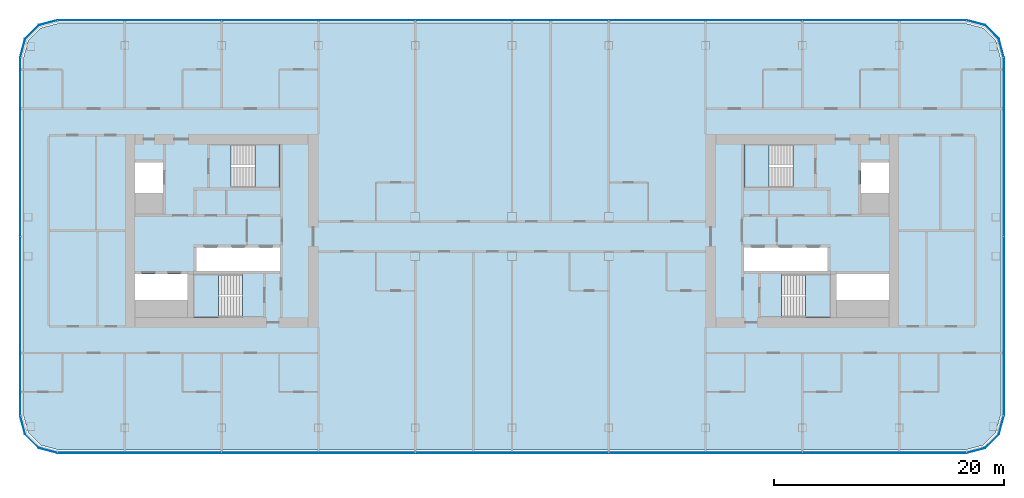
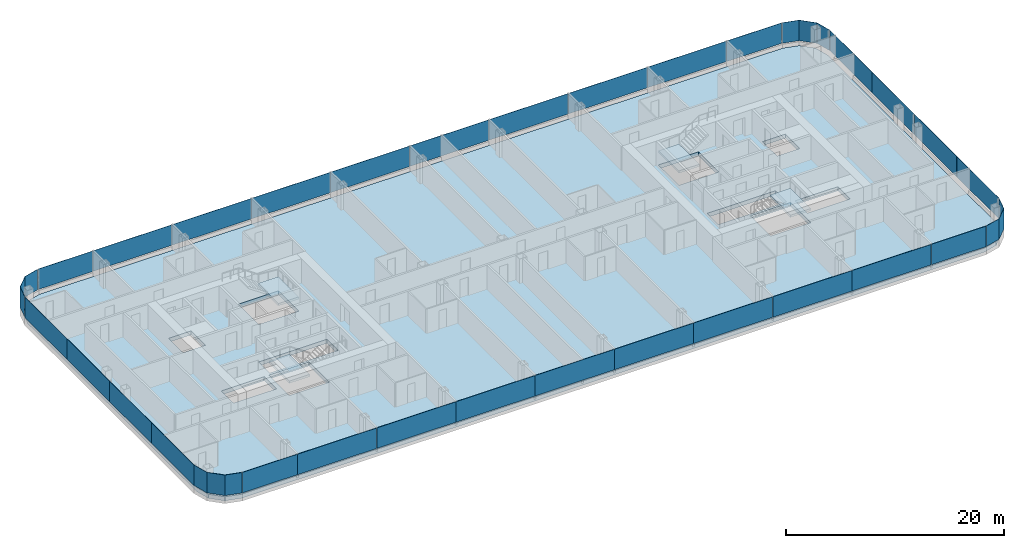
# One storey, part 11 of 26: 32 plates, 5 slabs, 12 elements without a shape of their own.
"""IFC4 building model written with IfcOpenShell, lengths in metres."""

from ifc_helpers import new_model, si_unit, direction, frame, origin, origin_2d, place, context, subcontext, project, spatial, polyline, rectangle, outline, extrude, material, layer, layer_set, type_object, element, aggregate, save


model = new_model("IFC4")

# Units and contexts
model_context = context("Model", 3, precision=1e-05, world=origin(), true_north=direction((0.0, 1.0)))
body_context = subcontext(model_context, "Body", "Model", "MODEL_VIEW")
ifc_project = project(units=[si_unit("LENGTHUNIT", "METRE"), si_unit("AREAUNIT", "SQUARE_METRE"), si_unit("VOLUMEUNIT", "CUBIC_METRE"), si_unit("PLANEANGLEUNIT", "RADIAN"), si_unit("MASSUNIT", "GRAM", prefix="KILO")], contexts=[model_context])

# Site, building, storey
site_placement = place(None, origin())
site = spatial("IfcSite", under=ifc_project, at=site_placement, CompositionType="ELEMENT")
building_placement = place(site_placement, origin())
building = spatial("IfcBuilding", under=site, at=building_placement, Name="Hakoniwa Tower and Hamabe Station Hall", CompositionType="ELEMENT")
storey_placement = place(building_placement, frame((0.0, 0.0, 131.0)))
storey = spatial("IfcBuildingStorey", under=building, at=storey_placement, Name="L36", CompositionType="ELEMENT", Elevation=131.0)

# Stair, slab
ifc_material_1 = material(Name="Concrete C40", Category="concrete")
stair_type = type_object("IfcStairType", Name="ESCAPE STAIR 1800", PredefinedType="HALF_TURN_STAIR", material=ifc_material_1)
stair_1_placement = place(storey_placement, origin())
stair_1 = element("IfcStair", 1, at=stair_1_placement, inside=storey, type_object=stair_type, Name="Escape stair ST-1 L36", PredefinedType="HALF_TURN_STAIR")
ifc_material_2 = material(Name="Concrete C40", Category="concrete")
ifc_layer_1 = layer(ifc_material_2, 0.25)
ifc_layer_set_1 = layer_set([ifc_layer_1], Name="CORE STAIR LANDING 250")
slab_type_1 = type_object("IfcSlabType", Name="CORE STAIR LANDING 250", PredefinedType="LANDING", material=ifc_layer_set_1)
slab_1_placement = place(storey_placement, frame((0.0, 0.0, 1.35009765625)))
slab_1 = element("IfcSlab", 2, at=slab_1_placement, type_object=slab_type_1, Name="ST-1 landing 1", PredefinedType="LANDING", context=body_context, shape_type="SweptSolid", body=[
    extrude(outline(polyline([(-22.320068359375, 3.75), (-20.14990234375, 3.75), (-20.14990234375, 7.5), (-22.320068359375, 7.5), (-22.320068359375, 3.75)])), origin(), (0.0, 0.0, 1.0), 0.25),
])
aggregate(stair_1, [slab_1])

stair_2_placement = place(storey_placement, origin())
stair_2 = element("IfcStair", 3, at=stair_2_placement, inside=storey, type_object=stair_type, Name="Escape stair ST-2 L36", PredefinedType="HALF_TURN_STAIR")
slab_2_placement = place(storey_placement, frame((0.0, 0.0, 1.35009765625)))
slab_2 = element("IfcSlab", 4, at=slab_2_placement, type_object=slab_type_1, Name="ST-2 landing 1", PredefinedType="LANDING", context=body_context, shape_type="SweptSolid", body=[
    extrude(outline(polyline([(-25.47998046875, -7.5), (-27.64990234375, -7.5), (-27.64990234375, -3.75), (-25.47998046875, -3.75), (-25.47998046875, -7.5)])), origin(), (0.0, 0.0, 1.0), 0.25),
])
aggregate(stair_2, [slab_2])

stair_3_placement = place(storey_placement, origin())
stair_3 = element("IfcStair", 5, at=stair_3_placement, inside=storey, type_object=stair_type, Name="Escape stair ST-3 L36", PredefinedType="HALF_TURN_STAIR")
slab_3_placement = place(storey_placement, frame((0.0, 0.0, 1.35009765625)))
slab_3 = element("IfcSlab", 6, at=slab_3_placement, type_object=slab_type_1, Name="ST-3 landing 1", PredefinedType="LANDING", context=body_context, shape_type="SweptSolid", body=[
    extrude(outline(polyline([(22.320068359375, 3.75), (20.14990234375, 3.75), (20.14990234375, 7.5), (22.320068359375, 7.5), (22.320068359375, 3.75)])), origin(), (0.0, 0.0, 1.0), 0.25),
])
aggregate(stair_3, [slab_3])

stair_4_placement = place(storey_placement, origin())
stair_4 = element("IfcStair", 7, at=stair_4_placement, inside=storey, type_object=stair_type, Name="Escape stair ST-4 L36", PredefinedType="HALF_TURN_STAIR")
slab_4_placement = place(storey_placement, frame((0.0, 0.0, 1.35009765625)))
slab_4 = element("IfcSlab", 8, at=slab_4_placement, type_object=slab_type_1, Name="ST-4 landing 1", PredefinedType="LANDING", context=body_context, shape_type="SweptSolid", body=[
    extrude(outline(polyline([(25.47998046875, -7.5), (27.64990234375, -7.5), (27.64990234375, -3.75), (25.47998046875, -3.75), (25.47998046875, -7.5)])), origin(), (0.0, 0.0, 1.0), 0.25),
])
aggregate(stair_4, [slab_4])

# Curtain wall, plates
ifc_material_3 = material(Name="Dark low-e laminated glass", Category="glass")
ifc_layer_2 = layer(ifc_material_3, 0.199951171875)
ifc_layer_set_2 = layer_set([ifc_layer_2], Name="CW-1 UNITISED GUEST")
curtain_wall_type = type_object("IfcCurtainWallType", Name="CW-1 UNITISED GUEST", PredefinedType="NOTDEFINED", material=ifc_layer_set_2)
curtain_wall_1_placement = place(storey_placement, origin())
curtain_wall_1 = element("IfcCurtainWall", 9, at=curtain_wall_1_placement, inside=storey, type_object=curtain_wall_type, Name="CW-1 curtain wall", PredefinedType="NOTDEFINED")
ifc_material_4 = material(Name="Dark low-e laminated glass", Category="glass")
ifc_layer_3 = layer(ifc_material_4, 0.028076171875)
ifc_layer_set_3 = layer_set([ifc_layer_3], Name="CW-1 GLASS UNIT")
plate_type = type_object("IfcPlateType", Name="CW-1 GLASS UNIT", PredefinedType="CURTAIN_PANEL", material=ifc_layer_set_3)
plate_1_placement = place(storey_placement, frame((42.68603515625, -12.154541015625, 0.35009765625), z_axis=(0.0, 0.0, 1.0), x_axis=(0.0, 1.0, 0.0)))
plate_1 = element("IfcPlate", 10, at=plate_1_placement, type_object=plate_type, Name="CW-1 glass unit", PredefinedType="CURTAIN_PANEL", context=body_context, shape_type="SweptSolid", body=[
    extrude(rectangle(XDim=7.749755859375, YDim=0.028076171875, at=origin_2d()), origin(), (0.0, 0.0, 1.0), 2.300048828125),
])
plate_2_placement = place(storey_placement, frame((42.68603515625, -4.384765625, 0.35009765625), z_axis=(0.0, 0.0, 1.0), x_axis=(0.0, 1.0, 0.0)))
plate_2 = element("IfcPlate", 11, at=plate_2_placement, type_object=plate_type, Name="CW-1 glass unit", PredefinedType="CURTAIN_PANEL", context=body_context, shape_type="SweptSolid", body=[
    extrude(rectangle(XDim=7.749755859375, YDim=0.028076171875, at=origin_2d()), origin(), (0.0, 0.0, 1.0), 2.300048828125),
])
plate_3_placement = place(storey_placement, frame((42.68603515625, 3.384765625, 0.35009765625), z_axis=(0.0, 0.0, 1.0), x_axis=(0.0, 1.0, 0.0)))
plate_3 = element("IfcPlate", 12, at=plate_3_placement, type_object=plate_type, Name="CW-1 glass unit", PredefinedType="CURTAIN_PANEL", context=body_context, shape_type="SweptSolid", body=[
    extrude(rectangle(XDim=7.749755859375, YDim=0.028076171875, at=origin_2d()), origin(), (0.0, 0.0, 1.0), 2.300048828125),
])
plate_4_placement = place(storey_placement, frame((42.68603515625, 11.154541015625, 0.35009765625), z_axis=(0.0, 0.0, 1.0), x_axis=(0.0, 1.0, 0.0)))
plate_4 = element("IfcPlate", 13, at=plate_4_placement, type_object=plate_type, Name="CW-1 glass unit", PredefinedType="CURTAIN_PANEL", context=body_context, shape_type="SweptSolid", body=[
    extrude(rectangle(XDim=7.749755859375, YDim=0.028076171875, at=origin_2d()), origin(), (0.0, 0.0, 1.0), 2.300048828125),
])
aggregate(curtain_wall_1, [plate_1, plate_2, plate_3, plate_4])

# Curtain wall, plate
curtain_wall_2_placement = place(storey_placement, origin())
curtain_wall_2 = element("IfcCurtainWall", 14, at=curtain_wall_2_placement, inside=storey, type_object=curtain_wall_type, Name="CW-1 curtain wall", PredefinedType="NOTDEFINED")
plate_5_placement = place(storey_placement, frame((0.0, 0.0, 0.35009765625)))
plate_5 = element("IfcPlate", 15, at=plate_5_placement, type_object=plate_type, Name="CW-1 curved corner unit", PredefinedType="CURTAIN_PANEL", context=body_context, shape_type="SweptSolid", body=[
    extrude(outline(polyline([(42.689697265625, 15.078125), (42.26708984375, 16.6552734375), (41.05517578125, 17.866943359375), (39.47802734375, 18.28955078125), (39.470947265625, 18.2626953125), (41.040771484375, 17.842041015625), (42.241943359375, 16.640869140625), (42.66259765625, 15.07080078125), (42.689697265625, 15.078125)])), origin(), (0.0, 0.0, 1.0), 2.2998046875),
])
aggregate(curtain_wall_2, [plate_5])

# Curtain wall, plates
curtain_wall_3_placement = place(storey_placement, origin())
curtain_wall_3 = element("IfcCurtainWall", 16, at=curtain_wall_3_placement, inside=storey, type_object=curtain_wall_type, Name="CW-1 curtain wall", PredefinedType="NOTDEFINED")
plate_6_placement = place(storey_placement, frame((36.519775390625, 18.285888671875, 0.35009765625), z_axis=(0.0, 0.0, 1.0), x_axis=(-1.0, 0.0, 0.0)))
plate_6 = element("IfcPlate", 17, at=plate_6_placement, type_object=plate_type, Name="CW-1 glass unit", PredefinedType="CURTAIN_PANEL", context=body_context, shape_type="SweptSolid", body=[
    extrude(rectangle(XDim=5.819580078125, YDim=0.028076171875, at=origin_2d()), origin(), (0.0, 0.0, 1.0), 2.300048828125),
])
plate_7_placement = place(storey_placement, frame((29.39990234375, 18.285888671875, 0.35009765625), z_axis=(0.0, 0.0, 1.0), x_axis=(-1.0, 0.0, 0.0)))
plate_7 = element("IfcPlate", 18, at=plate_7_placement, type_object=plate_type, Name="CW-1 glass unit", PredefinedType="CURTAIN_PANEL", context=body_context, shape_type="SweptSolid", body=[
    extrude(rectangle(XDim=8.3798828125, YDim=0.028076171875, at=origin_2d()), origin(), (0.0, 0.0, 1.0), 2.300048828125),
])
plate_8_placement = place(storey_placement, frame((21.0, 18.285888671875, 0.35009765625), z_axis=(0.0, 0.0, 1.0), x_axis=(-1.0, 0.0, 0.0)))
plate_8 = element("IfcPlate", 19, at=plate_8_placement, type_object=plate_type, Name="CW-1 glass unit", PredefinedType="CURTAIN_PANEL", context=body_context, shape_type="SweptSolid", body=[
    extrude(rectangle(XDim=8.3798828125, YDim=0.028076171875, at=origin_2d()), origin(), (0.0, 0.0, 1.0), 2.300048828125),
])
plate_9_placement = place(storey_placement, frame((12.60009765625, 18.285888671875, 0.35009765625), z_axis=(0.0, 0.0, 1.0), x_axis=(-1.0, 0.0, 0.0)))
plate_9 = element("IfcPlate", 20, at=plate_9_placement, type_object=plate_type, Name="CW-1 glass unit", PredefinedType="CURTAIN_PANEL", context=body_context, shape_type="SweptSolid", body=[
    extrude(rectangle(XDim=8.3798828125, YDim=0.028076171875, at=origin_2d()), origin(), (0.0, 0.0, 1.0), 2.300048828125),
])
plate_10_placement = place(storey_placement, frame((4.199951171875, 18.285888671875, 0.35009765625), z_axis=(0.0, 0.0, 1.0), x_axis=(-1.0, 0.0, 0.0)))
plate_10 = element("IfcPlate", 21, at=plate_10_placement, type_object=plate_type, Name="CW-1 glass unit", PredefinedType="CURTAIN_PANEL", context=body_context, shape_type="SweptSolid", body=[
    extrude(rectangle(XDim=8.3798828125, YDim=0.028076171875, at=origin_2d()), origin(), (0.0, 0.0, 1.0), 2.300048828125),
])
plate_11_placement = place(storey_placement, frame((-4.199951171875, 18.285888671875, 0.35009765625), z_axis=(0.0, 0.0, 1.0), x_axis=(-1.0, 0.0, 0.0)))
plate_11 = element("IfcPlate", 22, at=plate_11_placement, type_object=plate_type, Name="CW-1 glass unit", PredefinedType="CURTAIN_PANEL", context=body_context, shape_type="SweptSolid", body=[
    extrude(rectangle(XDim=8.3798828125, YDim=0.028076171875, at=origin_2d()), origin(), (0.0, 0.0, 1.0), 2.300048828125),
])
plate_12_placement = place(storey_placement, frame((-12.60009765625, 18.285888671875, 0.35009765625), z_axis=(0.0, 0.0, 1.0), x_axis=(-1.0, 0.0, 0.0)))
plate_12 = element("IfcPlate", 23, at=plate_12_placement, type_object=plate_type, Name="CW-1 glass unit", PredefinedType="CURTAIN_PANEL", context=body_context, shape_type="SweptSolid", body=[
    extrude(rectangle(XDim=8.3798828125, YDim=0.028076171875, at=origin_2d()), origin(), (0.0, 0.0, 1.0), 2.300048828125),
])
plate_13_placement = place(storey_placement, frame((-21.0, 18.285888671875, 0.35009765625), z_axis=(0.0, 0.0, 1.0), x_axis=(-1.0, 0.0, 0.0)))
plate_13 = element("IfcPlate", 24, at=plate_13_placement, type_object=plate_type, Name="CW-1 glass unit", PredefinedType="CURTAIN_PANEL", context=body_context, shape_type="SweptSolid", body=[
    extrude(rectangle(XDim=8.3798828125, YDim=0.028076171875, at=origin_2d()), origin(), (0.0, 0.0, 1.0), 2.300048828125),
])
plate_14_placement = place(storey_placement, frame((-29.39990234375, 18.285888671875, 0.35009765625), z_axis=(0.0, 0.0, 1.0), x_axis=(-1.0, 0.0, 0.0)))
plate_14 = element("IfcPlate", 25, at=plate_14_placement, type_object=plate_type, Name="CW-1 glass unit", PredefinedType="CURTAIN_PANEL", context=body_context, shape_type="SweptSolid", body=[
    extrude(rectangle(XDim=8.3798828125, YDim=0.028076171875, at=origin_2d()), origin(), (0.0, 0.0, 1.0), 2.300048828125),
])
plate_15_placement = place(storey_placement, frame((-36.519775390625, 18.285888671875, 0.35009765625), z_axis=(0.0, 0.0, 1.0), x_axis=(-1.0, 0.0, 0.0)))
plate_15 = element("IfcPlate", 26, at=plate_15_placement, type_object=plate_type, Name="CW-1 glass unit", PredefinedType="CURTAIN_PANEL", context=body_context, shape_type="SweptSolid", body=[
    extrude(rectangle(XDim=5.819580078125, YDim=0.028076171875, at=origin_2d()), origin(), (0.0, 0.0, 1.0), 2.300048828125),
])
aggregate(curtain_wall_3, [plate_6, plate_7, plate_8, plate_9, plate_10, plate_11, plate_12, plate_13, plate_14, plate_15])

# Curtain wall, plate
curtain_wall_4_placement = place(storey_placement, origin())
curtain_wall_4 = element("IfcCurtainWall", 27, at=curtain_wall_4_placement, inside=storey, type_object=curtain_wall_type, Name="CW-1 curtain wall", PredefinedType="NOTDEFINED")
plate_16_placement = place(storey_placement, frame((0.0, 0.0, 0.35009765625)))
plate_16 = element("IfcPlate", 28, at=plate_16_placement, type_object=plate_type, Name="CW-1 curved corner unit", PredefinedType="CURTAIN_PANEL", context=body_context, shape_type="SweptSolid", body=[
    extrude(outline(polyline([(-39.47802734375, 18.28955078125), (-41.05517578125, 17.866943359375), (-42.26708984375, 16.6552734375), (-42.689697265625, 15.078125), (-42.66259765625, 15.07080078125), (-42.241943359375, 16.640869140625), (-41.040771484375, 17.842041015625), (-39.470947265625, 18.2626953125), (-39.47802734375, 18.28955078125)])), origin(), (0.0, 0.0, 1.0), 2.2998046875),
])
aggregate(curtain_wall_4, [plate_16])

# Curtain wall, plates
curtain_wall_5_placement = place(storey_placement, origin())
curtain_wall_5 = element("IfcCurtainWall", 29, at=curtain_wall_5_placement, inside=storey, type_object=curtain_wall_type, Name="CW-1 curtain wall", PredefinedType="NOTDEFINED")
plate_17_placement = place(storey_placement, frame((-42.68603515625, 11.154541015625, 0.35009765625), z_axis=(0.0, 0.0, 1.0), x_axis=(0.0, -1.0, 0.0)))
plate_17 = element("IfcPlate", 30, at=plate_17_placement, type_object=plate_type, Name="CW-1 glass unit", PredefinedType="CURTAIN_PANEL", context=body_context, shape_type="SweptSolid", body=[
    extrude(rectangle(XDim=7.749755859375, YDim=0.028076171875, at=origin_2d()), origin(), (0.0, 0.0, 1.0), 2.300048828125),
])
plate_18_placement = place(storey_placement, frame((-42.68603515625, 3.384765625, 0.35009765625), z_axis=(0.0, 0.0, 1.0), x_axis=(0.0, -1.0, 0.0)))
plate_18 = element("IfcPlate", 31, at=plate_18_placement, type_object=plate_type, Name="CW-1 glass unit", PredefinedType="CURTAIN_PANEL", context=body_context, shape_type="SweptSolid", body=[
    extrude(rectangle(XDim=7.749755859375, YDim=0.028076171875, at=origin_2d()), origin(), (0.0, 0.0, 1.0), 2.300048828125),
])
plate_19_placement = place(storey_placement, frame((-42.68603515625, -4.384765625, 0.35009765625), z_axis=(0.0, 0.0, 1.0), x_axis=(0.0, -1.0, 0.0)))
plate_19 = element("IfcPlate", 32, at=plate_19_placement, type_object=plate_type, Name="CW-1 glass unit", PredefinedType="CURTAIN_PANEL", context=body_context, shape_type="SweptSolid", body=[
    extrude(rectangle(XDim=7.749755859375, YDim=0.028076171875, at=origin_2d()), origin(), (0.0, 0.0, 1.0), 2.300048828125),
])
plate_20_placement = place(storey_placement, frame((-42.68603515625, -12.154541015625, 0.35009765625), z_axis=(0.0, 0.0, 1.0), x_axis=(0.0, -1.0, 0.0)))
plate_20 = element("IfcPlate", 33, at=plate_20_placement, type_object=plate_type, Name="CW-1 glass unit", PredefinedType="CURTAIN_PANEL", context=body_context, shape_type="SweptSolid", body=[
    extrude(rectangle(XDim=7.749755859375, YDim=0.028076171875, at=origin_2d()), origin(), (0.0, 0.0, 1.0), 2.300048828125),
])
aggregate(curtain_wall_5, [plate_17, plate_18, plate_19, plate_20])

# Curtain wall, plate
curtain_wall_6_placement = place(storey_placement, origin())
curtain_wall_6 = element("IfcCurtainWall", 34, at=curtain_wall_6_placement, inside=storey, type_object=curtain_wall_type, Name="CW-1 curtain wall", PredefinedType="NOTDEFINED")
plate_21_placement = place(storey_placement, frame((0.0, 0.0, 0.35009765625)))
plate_21 = element("IfcPlate", 35, at=plate_21_placement, type_object=plate_type, Name="CW-1 curved corner unit", PredefinedType="CURTAIN_PANEL", context=body_context, shape_type="SweptSolid", body=[
    extrude(outline(polyline([(-42.689697265625, -16.078125), (-42.26708984375, -17.6552734375), (-41.05517578125, -18.866943359375), (-39.47802734375, -19.28955078125), (-39.470947265625, -19.2626953125), (-41.040771484375, -18.842041015625), (-42.241943359375, -17.640869140625), (-42.66259765625, -16.07080078125), (-42.689697265625, -16.078125)])), origin(), (0.0, 0.0, 1.0), 2.2998046875),
])
aggregate(curtain_wall_6, [plate_21])

# Curtain wall, plates
curtain_wall_7_placement = place(storey_placement, origin())
curtain_wall_7 = element("IfcCurtainWall", 36, at=curtain_wall_7_placement, inside=storey, type_object=curtain_wall_type, Name="CW-1 curtain wall", PredefinedType="NOTDEFINED")
plate_22_placement = place(storey_placement, frame((-36.519775390625, -19.285888671875, 0.35009765625), z_axis=(0.0, 0.0, 1.0), x_axis=(1.0, 0.0, 0.0)))
plate_22 = element("IfcPlate", 37, at=plate_22_placement, type_object=plate_type, Name="CW-1 glass unit", PredefinedType="CURTAIN_PANEL", context=body_context, shape_type="SweptSolid", body=[
    extrude(rectangle(XDim=5.819580078125, YDim=0.028076171875, at=origin_2d()), origin(), (0.0, 0.0, 1.0), 2.300048828125),
])
plate_23_placement = place(storey_placement, frame((-29.39990234375, -19.285888671875, 0.35009765625), z_axis=(0.0, 0.0, 1.0), x_axis=(1.0, 0.0, 0.0)))
plate_23 = element("IfcPlate", 38, at=plate_23_placement, type_object=plate_type, Name="CW-1 glass unit", PredefinedType="CURTAIN_PANEL", context=body_context, shape_type="SweptSolid", body=[
    extrude(rectangle(XDim=8.3798828125, YDim=0.028076171875, at=origin_2d()), origin(), (0.0, 0.0, 1.0), 2.300048828125),
])
plate_24_placement = place(storey_placement, frame((-21.0, -19.285888671875, 0.35009765625), z_axis=(0.0, 0.0, 1.0), x_axis=(1.0, 0.0, 0.0)))
plate_24 = element("IfcPlate", 39, at=plate_24_placement, type_object=plate_type, Name="CW-1 glass unit", PredefinedType="CURTAIN_PANEL", context=body_context, shape_type="SweptSolid", body=[
    extrude(rectangle(XDim=8.3798828125, YDim=0.028076171875, at=origin_2d()), origin(), (0.0, 0.0, 1.0), 2.300048828125),
])
plate_25_placement = place(storey_placement, frame((-12.60009765625, -19.285888671875, 0.35009765625), z_axis=(0.0, 0.0, 1.0), x_axis=(1.0, 0.0, 0.0)))
plate_25 = element("IfcPlate", 40, at=plate_25_placement, type_object=plate_type, Name="CW-1 glass unit", PredefinedType="CURTAIN_PANEL", context=body_context, shape_type="SweptSolid", body=[
    extrude(rectangle(XDim=8.3798828125, YDim=0.028076171875, at=origin_2d()), origin(), (0.0, 0.0, 1.0), 2.300048828125),
])
plate_26_placement = place(storey_placement, frame((-4.199951171875, -19.285888671875, 0.35009765625), z_axis=(0.0, 0.0, 1.0), x_axis=(1.0, 0.0, 0.0)))
plate_26 = element("IfcPlate", 41, at=plate_26_placement, type_object=plate_type, Name="CW-1 glass unit", PredefinedType="CURTAIN_PANEL", context=body_context, shape_type="SweptSolid", body=[
    extrude(rectangle(XDim=8.3798828125, YDim=0.028076171875, at=origin_2d()), origin(), (0.0, 0.0, 1.0), 2.300048828125),
])
plate_27_placement = place(storey_placement, frame((4.199951171875, -19.285888671875, 0.35009765625), z_axis=(0.0, 0.0, 1.0), x_axis=(1.0, 0.0, 0.0)))
plate_27 = element("IfcPlate", 42, at=plate_27_placement, type_object=plate_type, Name="CW-1 glass unit", PredefinedType="CURTAIN_PANEL", context=body_context, shape_type="SweptSolid", body=[
    extrude(rectangle(XDim=8.3798828125, YDim=0.028076171875, at=origin_2d()), origin(), (0.0, 0.0, 1.0), 2.300048828125),
])
plate_28_placement = place(storey_placement, frame((12.60009765625, -19.285888671875, 0.35009765625), z_axis=(0.0, 0.0, 1.0), x_axis=(1.0, 0.0, 0.0)))
plate_28 = element("IfcPlate", 43, at=plate_28_placement, type_object=plate_type, Name="CW-1 glass unit", PredefinedType="CURTAIN_PANEL", context=body_context, shape_type="SweptSolid", body=[
    extrude(rectangle(XDim=8.3798828125, YDim=0.028076171875, at=origin_2d()), origin(), (0.0, 0.0, 1.0), 2.300048828125),
])
plate_29_placement = place(storey_placement, frame((21.0, -19.285888671875, 0.35009765625), z_axis=(0.0, 0.0, 1.0), x_axis=(1.0, 0.0, 0.0)))
plate_29 = element("IfcPlate", 44, at=plate_29_placement, type_object=plate_type, Name="CW-1 glass unit", PredefinedType="CURTAIN_PANEL", context=body_context, shape_type="SweptSolid", body=[
    extrude(rectangle(XDim=8.3798828125, YDim=0.028076171875, at=origin_2d()), origin(), (0.0, 0.0, 1.0), 2.300048828125),
])
plate_30_placement = place(storey_placement, frame((29.39990234375, -19.285888671875, 0.35009765625), z_axis=(0.0, 0.0, 1.0), x_axis=(1.0, 0.0, 0.0)))
plate_30 = element("IfcPlate", 45, at=plate_30_placement, type_object=plate_type, Name="CW-1 glass unit", PredefinedType="CURTAIN_PANEL", context=body_context, shape_type="SweptSolid", body=[
    extrude(rectangle(XDim=8.3798828125, YDim=0.028076171875, at=origin_2d()), origin(), (0.0, 0.0, 1.0), 2.300048828125),
])
plate_31_placement = place(storey_placement, frame((36.519775390625, -19.285888671875, 0.35009765625), z_axis=(0.0, 0.0, 1.0), x_axis=(1.0, 0.0, 0.0)))
plate_31 = element("IfcPlate", 46, at=plate_31_placement, type_object=plate_type, Name="CW-1 glass unit", PredefinedType="CURTAIN_PANEL", context=body_context, shape_type="SweptSolid", body=[
    extrude(rectangle(XDim=5.819580078125, YDim=0.028076171875, at=origin_2d()), origin(), (0.0, 0.0, 1.0), 2.300048828125),
])
aggregate(curtain_wall_7, [plate_22, plate_23, plate_24, plate_25, plate_26, plate_27, plate_28, plate_29, plate_30, plate_31])

# Curtain wall, plate
curtain_wall_8_placement = place(storey_placement, origin())
curtain_wall_8 = element("IfcCurtainWall", 47, at=curtain_wall_8_placement, inside=storey, type_object=curtain_wall_type, Name="CW-1 curtain wall", PredefinedType="NOTDEFINED")
plate_32_placement = place(storey_placement, frame((0.0, 0.0, 0.35009765625)))
plate_32 = element("IfcPlate", 48, at=plate_32_placement, type_object=plate_type, Name="CW-1 curved corner unit", PredefinedType="CURTAIN_PANEL", context=body_context, shape_type="SweptSolid", body=[
    extrude(outline(polyline([(39.47802734375, -19.28955078125), (41.05517578125, -18.866943359375), (42.26708984375, -17.6552734375), (42.689697265625, -16.078125), (42.66259765625, -16.07080078125), (42.241943359375, -17.640869140625), (41.040771484375, -18.842041015625), (39.470947265625, -19.2626953125), (39.47802734375, -19.28955078125)])), origin(), (0.0, 0.0, 1.0), 2.2998046875),
])
aggregate(curtain_wall_8, [plate_32])

# Slab
ifc_material_5 = material(Name="Concrete C42", Category="concrete")
ifc_layer_4 = layer(ifc_material_5, 0.449951171875)
ifc_layer_set_4 = layer_set([ifc_layer_4], Name="PT FLAT PLATE 450")
slab_type_2 = type_object("IfcSlabType", Name="PT FLAT PLATE 450", PredefinedType="FLOOR", material=ifc_layer_set_4)
slab_5_placement = place(storey_placement, frame((0.0, 0.0, -0.449951171875)))
element("IfcSlab", 49, at=slab_5_placement, inside=storey, type_object=slab_type_2, Name="Floor slab L36", PredefinedType="FLOOR", context=body_context, shape_type="SweptSolid", body=[
    extrude(outline(polyline([(42.39990234375, -16.0), (42.39990234375, 15.0), (41.998046875, 16.5), (40.89990234375, 17.59814453125), (39.39990234375, 18.0), (-39.39990234375, 18.0), (-40.89990234375, 17.59814453125), (-41.998046875, 16.5), (-42.39990234375, 15.0), (-42.39990234375, -16.0), (-41.998046875, -17.5), (-40.89990234375, -18.59814453125), (-39.39990234375, -19.0), (39.39990234375, -19.0), (40.89990234375, -18.59814453125), (41.998046875, -17.5), (42.39990234375, -16.0)]), holes=[polyline([(-27.39990234375, -3.5), (-27.39990234375, -1.449951171875), (-20.14990234375, -1.449951171875), (-20.14990234375, -3.5), (-27.39990234375, -3.5)]), polyline([(-32.699951171875, 3.300048828125), (-32.699951171875, 5.949951171875), (-30.300048828125, 5.949951171875), (-30.300048828125, 3.300048828125), (-32.699951171875, 3.300048828125)]), polyline([(-32.699951171875, -6.0), (-32.699951171875, -3.75), (-28.14990234375, -3.75), (-28.14990234375, -6.0), (-32.699951171875, -6.0)]), polyline([(-24.389892578125, 3.75), (-24.389892578125, 7.5), (-20.14990234375, 7.5), (-20.14990234375, 3.75), (-24.389892578125, 3.75)]), polyline([(-27.64990234375, -7.5), (-27.64990234375, -3.75), (-23.409912109375, -3.75), (-23.409912109375, -7.5), (-27.64990234375, -7.5)]), polyline([(20.14990234375, -3.5), (20.14990234375, -1.449951171875), (27.39990234375, -1.449951171875), (27.39990234375, -3.5), (20.14990234375, -3.5)]), polyline([(30.300048828125, 3.300048828125), (30.300048828125, 5.949951171875), (32.699951171875, 5.949951171875), (32.699951171875, 3.300048828125), (30.300048828125, 3.300048828125)]), polyline([(28.14990234375, -6.0), (28.14990234375, -3.75), (32.699951171875, -3.75), (32.699951171875, -6.0), (28.14990234375, -6.0)]), polyline([(20.14990234375, 3.75), (20.14990234375, 7.5), (24.389892578125, 7.5), (24.389892578125, 3.75), (20.14990234375, 3.75)]), polyline([(23.409912109375, -7.5), (23.409912109375, -3.75), (27.64990234375, -3.75), (27.64990234375, -7.5), (23.409912109375, -7.5)])]), origin(), (0.0, 0.0, 1.0), 0.449951171875),
])

save(model, "model.ifc")
